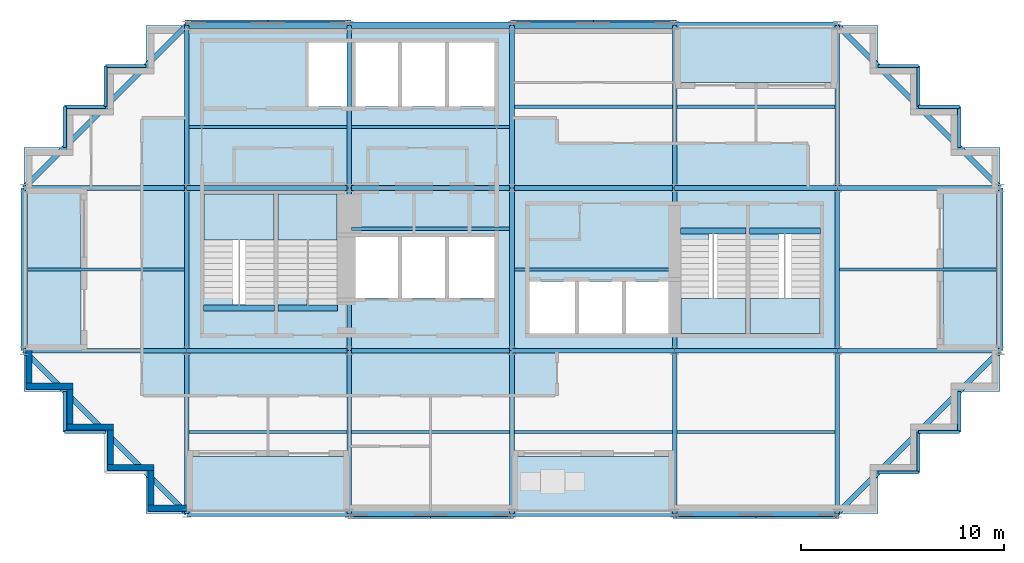
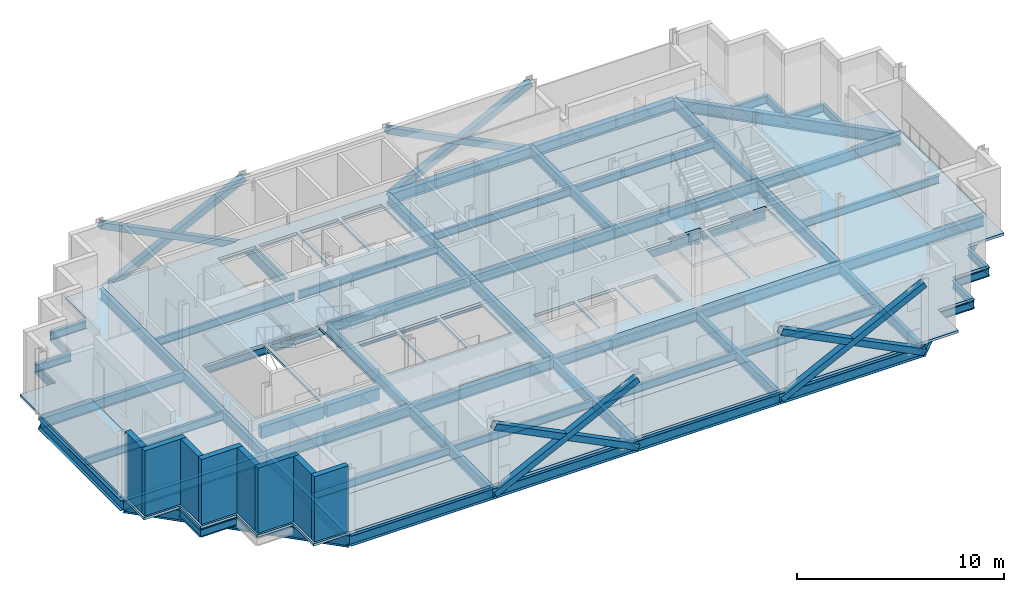
# One storey, part 3 of 10: 71 beams, 12 slabs, 8 members, 8 walls, 4 elements without a shape of their own.
"""IFC4 building model written with IfcOpenShell, lengths in metres."""

from ifc_helpers import new_model, si_unit, direction, frame, frame_2d, origin, origin_2d, place, context, subcontext, project, spatial, polyline, rectangle, hollow_rectangle, i_section, outline, extrude, material, layer, layer_set, material_profile, profile_set, type_object, element, aggregate, save


model = new_model("IFC4")

# Units and contexts
model_context = context("Model", 3, precision=1e-05, world=origin(), true_north=direction((0.0, 1.0)))
body_context = subcontext(model_context, "Body", "Model", "MODEL_VIEW")
ifc_project = project(units=[si_unit("LENGTHUNIT", "METRE"), si_unit("AREAUNIT", "SQUARE_METRE"), si_unit("VOLUMEUNIT", "CUBIC_METRE"), si_unit("PLANEANGLEUNIT", "RADIAN"), si_unit("MASSUNIT", "GRAM", prefix="KILO")], contexts=[model_context])

# Site, building, storey
site_placement = place(None, origin())
site = spatial("IfcSite", under=ifc_project, at=site_placement, CompositionType="ELEMENT")
building_placement = place(site_placement, origin())
building = spatial("IfcBuilding", under=site, at=building_placement, Name="Immortelle Media Tower", CompositionType="ELEMENT")
storey_placement = place(building_placement, frame((0.0, 0.0, 213.0)))
storey = spatial("IfcBuildingStorey", under=building, at=storey_placement, Name="L45", CompositionType="ELEMENT", Elevation=213.0)

# Members
ifc_material_1 = material(Name="Steel ASTM A500 Gr C", Category="steel")
ifc_material_profile_1 = material_profile(ifc_material_1, hollow_rectangle(XDim=0.35595703125, YDim=0.35595703125, WallThickness=0.011962890625, at=origin_2d()), Name="HSS14x14x1/2 brace")
ifc_profile_set_1 = profile_set([ifc_material_profile_1], Name="Steel ASTM A500 Gr C")
member_type = type_object("IfcMemberType", Name="HSS14x14x1/2 brace", PredefinedType="BRACE", material=ifc_profile_set_1)
for number, where, z_axis, x_axis, name in (
    (1, (16.0, -0.087890625, -0.4560546875), (0.894427191, 0.0, 0.4472135955), (0.0, 1.0, 0.0), "Brace A/3-4 A"),
    (2, (16.0, -0.087890625, 3.5439453125), (0.894427191, 0.0, -0.4472135955), (0.0, 1.0, 0.0), "Brace A/3-4 B"),
    (3, (32.0, -0.087890625, -0.4560546875), (0.894427191, 0.0, 0.4472135955), (0.0, 1.0, 0.0), "Brace A/5-6 A"),
    (4, (32.0, -0.087890625, 3.5439453125), (0.894427191, 0.0, -0.4472135955), (0.0, 1.0, 0.0), "Brace A/5-6 B"),
    (5, (32.0, 24.087890625, -0.4560546875), (-0.894427191, 0.0, 0.4472135955), (0.0, -1.0, 0.0), "Brace D/4-5 A"),
    (6, (32.0, 24.087890625, 3.5439453125), (-0.894427191, 0.0, -0.4472135955), (0.0, -1.0, 0.0), "Brace D/4-5 B"),
    (7, (16.0, 24.087890625, -0.4560546875), (-0.894427191, 0.0, 0.4472135955), (0.0, -1.0, 0.0), "Brace D/2-3 A"),
    (8, (16.0, 24.087890625, 3.5439453125), (-0.894427191, 0.0, -0.4472135955), (0.0, -1.0, 0.0), "Brace D/2-3 B"),
):
    element("IfcMember", number, at=place(storey_placement, frame(where, z_axis=z_axis, x_axis=x_axis)), inside=storey, type_object=member_type, Name=name, PredefinedType="BRACE", context=body_context, shape_type="SweptSolid", body=[
        extrude(hollow_rectangle(XDim=0.35595703125, YDim=0.35595703125, WallThickness=0.011962890625, at=origin_2d()), origin(), (0.0, 0.0, 1.0), 8.9443359375),
    ])

# Beams
ifc_material_2 = material(Name="Concrete C50/60", Category="concrete")
ifc_material_profile_2 = material_profile(ifc_material_2, rectangle(XDim=0.300048828125, YDim=0.699951171875, at=origin_2d()), Name="RC 300x700")
ifc_profile_set_2 = profile_set([ifc_material_profile_2], Name="Concrete C50/60")
beam_type_1 = type_object("IfcBeamType", Name="Stair trimmer beam 300 x 700", PredefinedType="BEAM", material=ifc_profile_set_2)
beam_1_placement = place(storey_placement, frame((8.830078125, 10.10498046875, -0.5), z_axis=(1.0, 0.0, 0.0), x_axis=(0.0, 1.0, 0.0)))
element("IfcBeam", 9, at=beam_1_placement, inside=storey, type_object=beam_type_1, Name="Stair trimmer beam SW1", PredefinedType="BEAM", context=body_context, shape_type="SweptSolid", body=[
    extrude(rectangle(XDim=0.300048828125, YDim=0.699951171875, at=origin_2d()), origin(), (0.0, 0.0, 1.0), 3.489990234375),
])
beam_2_placement = place(storey_placement, frame((12.47998046875, 10.10498046875, -0.5), z_axis=(1.0, 0.0, 0.0), x_axis=(0.0, 1.0, 0.0)))
element("IfcBeam", 10, at=beam_2_placement, inside=storey, type_object=beam_type_1, Name="Stair trimmer beam SW2", PredefinedType="BEAM", context=body_context, shape_type="SweptSolid", body=[
    extrude(rectangle(XDim=0.300048828125, YDim=0.699951171875, at=origin_2d()), origin(), (0.0, 0.0, 1.0), 2.93994140625),
])
beam_3_placement = place(storey_placement, frame((32.280029296875, 13.89501953125, -0.5), z_axis=(1.0, 0.0, 0.0), x_axis=(0.0, 1.0, 0.0)))
element("IfcBeam", 11, at=beam_3_placement, inside=storey, type_object=beam_type_1, Name="Stair trimmer beam SE1", PredefinedType="BEAM", context=body_context, shape_type="SweptSolid", body=[
    extrude(rectangle(XDim=0.300048828125, YDim=0.699951171875, at=origin_2d()), origin(), (0.0, 0.0, 1.0), 3.239990234375),
])
beam_4_placement = place(storey_placement, frame((35.679931640625, 13.89501953125, -0.5), z_axis=(1.0, 0.0, 0.0), x_axis=(0.0, 1.0, 0.0)))
element("IfcBeam", 12, at=beam_4_placement, inside=storey, type_object=beam_type_1, Name="Stair trimmer beam SE2", PredefinedType="BEAM", context=body_context, shape_type="SweptSolid", body=[
    extrude(rectangle(XDim=0.300048828125, YDim=0.699951171875, at=origin_2d()), origin(), (0.0, 0.0, 1.0), 3.489990234375),
])
ifc_material_3 = material(Name="Steel ASTM A992 Gr 50", Category="steel")
ifc_material_profile_3 = material_profile(ifc_material_3, i_section(OverallWidth=0.153076171875, OverallDepth=0.455078125, WebThickness=0.008056640625, FlangeThickness=0.012939453125, at=origin_2d()), Name="W18x40")
ifc_profile_set_3 = profile_set([ifc_material_profile_3], Name="Steel ASTM A992 Gr 50")
beam_type_2 = type_object("IfcBeamType", Name="W18x40 secondary beam", PredefinedType="JOIST", material=ifc_profile_set_3)
for number, where, z_axis, x_axis, name in (
    (13, (8.114013671875, 4.0, -0.37744140625), (1.0, 0.0, 0.0), (0.0, 1.0, 0.0), "Beam A-B/2-3"),
    (14, (16.114013671875, 4.0, -0.37744140625), (1.0, 0.0, 0.0), (0.0, 1.0, 0.0), "Beam A-B/3-4"),
    (15, (24.114013671875, 4.0, -0.37744140625), (1.0, 0.0, 0.0), (0.0, 1.0, 0.0), "Beam A-B/4-5"),
    (16, (32.114013671875, 4.0, -0.37744140625), (1.0, 0.0, 0.0), (0.0, 1.0, 0.0), "Beam A-B/5-6"),
):
    element("IfcBeam", number, at=place(storey_placement, frame(where, z_axis=z_axis, x_axis=x_axis)), inside=storey, type_object=beam_type_2, Name=name, PredefinedType="JOIST", context=body_context, shape_type="SweptSolid", body=[
        extrude(i_section(OverallWidth=0.153076171875, OverallDepth=0.455078125, WebThickness=0.008056640625, FlangeThickness=0.012939453125, at=origin_2d()), origin(), (0.0, 0.0, 1.0), 7.77197265625),
    ])
beam_5_placement = place(storey_placement, frame((0.162109375, 12.0, -0.37744140625), z_axis=(1.0, 0.0, 0.0), x_axis=(0.0, 1.0, 0.0)))
element("IfcBeam", 17, at=beam_5_placement, inside=storey, type_object=beam_type_2, Name="Beam B-C/1-2", PredefinedType="JOIST", context=body_context, shape_type="SweptSolid", body=[
    extrude(i_section(OverallWidth=0.153076171875, OverallDepth=0.455078125, WebThickness=0.008056640625, FlangeThickness=0.012939453125, at=origin_2d()), origin(), (0.0, 0.0, 1.0), 7.723876953125),
])
for number, where, z_axis, x_axis, name in (
    (18, (16.114013671875, 14.0, -0.37744140625), (1.0, 0.0, 0.0), (0.0, 1.0, 0.0), "Beam B-C/3-4"),
    (19, (24.114013671875, 12.0, -0.37744140625), (1.0, 0.0, 0.0), (0.0, 1.0, 0.0), "Beam B-C/4-5"),
):
    element("IfcBeam", number, at=place(storey_placement, frame(where, z_axis=z_axis, x_axis=x_axis)), inside=storey, type_object=beam_type_2, Name=name, PredefinedType="JOIST", context=body_context, shape_type="SweptSolid", body=[
        extrude(i_section(OverallWidth=0.153076171875, OverallDepth=0.455078125, WebThickness=0.008056640625, FlangeThickness=0.012939453125, at=origin_2d()), origin(), (0.0, 0.0, 1.0), 7.77197265625),
    ])
beam_6_placement = place(storey_placement, frame((40.114013671875, 12.0, -0.37744140625), z_axis=(1.0, 0.0, 0.0), x_axis=(0.0, 1.0, 0.0)))
element("IfcBeam", 20, at=beam_6_placement, inside=storey, type_object=beam_type_2, Name="Beam B-C/6-7", PredefinedType="JOIST", context=body_context, shape_type="SweptSolid", body=[
    extrude(i_section(OverallWidth=0.153076171875, OverallDepth=0.455078125, WebThickness=0.008056640625, FlangeThickness=0.012939453125, at=origin_2d()), origin(), (0.0, 0.0, 1.0), 7.723876953125),
])
for number, where, z_axis, x_axis, name in (
    (21, (8.114013671875, 19.0, -0.37744140625), (1.0, 0.0, 0.0), (0.0, 1.0, 0.0), "Beam C-D/2-3"),
    (22, (16.114013671875, 19.0, -0.37744140625), (1.0, 0.0, 0.0), (0.0, 1.0, 0.0), "Beam C-D/3-4"),
    (23, (24.114013671875, 20.0, -0.37744140625), (1.0, 0.0, 0.0), (0.0, 1.0, 0.0), "Beam C-D/4-5"),
    (24, (32.114013671875, 20.0, -0.37744140625), (1.0, 0.0, 0.0), (0.0, 1.0, 0.0), "Beam C-D/5-6"),
):
    element("IfcBeam", number, at=place(storey_placement, frame(where, z_axis=z_axis, x_axis=x_axis)), inside=storey, type_object=beam_type_2, Name=name, PredefinedType="JOIST", context=body_context, shape_type="SweptSolid", body=[
        extrude(i_section(OverallWidth=0.153076171875, OverallDepth=0.455078125, WebThickness=0.008056640625, FlangeThickness=0.012939453125, at=origin_2d()), origin(), (0.0, 0.0, 1.0), 7.77197265625),
    ])
ifc_material_profile_4 = material_profile(ifc_material_3, i_section(OverallWidth=0.153076171875, OverallDepth=0.455078125, WebThickness=0.008056640625, FlangeThickness=0.012939453125, at=origin_2d()), Name="W18x40")
ifc_profile_set_4 = profile_set([ifc_material_profile_4], Name="Steel ASTM A992 Gr 50")
beam_type_3 = type_object("IfcBeamType", Name="W18x40 serration edge beam", PredefinedType="SPANDREL", material=ifc_profile_set_4)
for number, where, z_axis, x_axis, name in (
    (25, (4.0, 4.0, -0.37744140625), (-1.0, 0.0, 0.0), (0.0, -1.0, 0.0), "Corner edge beam 3 at 1/A"),
    (26, (2.0, 4.0, -0.37744140625), (0.0, 1.0, 0.0), (-1.0, 0.0, 0.0), "Corner edge beam 4 at 1/A"),
    (27, (2.0, 18.0, -0.37744140625), (0.0, 1.0, 0.0), (-1.0, 0.0, 0.0), "Corner edge beam 1 at 1/D"),
    (28, (2.0, 20.0, -0.37744140625), (1.0, 0.0, 0.0), (0.0, 1.0, 0.0), "Corner edge beam 2 at 1/D"),
    (29, (4.0, 20.0, -0.37744140625), (0.0, 1.0, 0.0), (-1.0, 0.0, 0.0), "Corner edge beam 3 at 1/D"),
    (30, (4.0, 22.0, -0.37744140625), (1.0, 0.0, 0.0), (0.0, 1.0, 0.0), "Corner edge beam 4 at 1/D"),
    (31, (46.0, 6.0, -0.37744140625), (0.0, -1.0, 0.0), (1.0, 0.0, 0.0), "Corner edge beam 1 at 7/A"),
    (32, (46.0, 4.0, -0.37744140625), (-1.0, 0.0, 0.0), (0.0, -1.0, 0.0), "Corner edge beam 2 at 7/A"),
    (33, (44.0, 4.0, -0.37744140625), (0.0, -1.0, 0.0), (1.0, 0.0, 0.0), "Corner edge beam 3 at 7/A"),
    (34, (44.0, 2.0, -0.37744140625), (-1.0, 0.0, 0.0), (0.0, -1.0, 0.0), "Corner edge beam 4 at 7/A"),
    (35, (42.0, 22.0, -0.37744140625), (1.0, 0.0, 0.0), (0.0, 1.0, 0.0), "Corner edge beam 1 at 7/D"),
    (36, (44.0, 22.0, -0.37744140625), (0.0, -1.0, 0.0), (1.0, 0.0, 0.0), "Corner edge beam 2 at 7/D"),
    (37, (44.0, 20.0, -0.37744140625), (1.0, 0.0, 0.0), (0.0, 1.0, 0.0), "Corner edge beam 3 at 7/D"),
    (38, (46.0, 20.0, -0.37744140625), (0.0, -1.0, 0.0), (1.0, 0.0, 0.0), "Corner edge beam 4 at 7/D"),
):
    element("IfcBeam", number, at=place(storey_placement, frame(where, z_axis=z_axis, x_axis=x_axis)), inside=storey, type_object=beam_type_3, Name=name, PredefinedType="SPANDREL", context=body_context, shape_type="SweptSolid", body=[
        extrude(i_section(OverallWidth=0.153076171875, OverallDepth=0.455078125, WebThickness=0.008056640625, FlangeThickness=0.012939453125, at=origin_2d()), origin(), (0.0, 0.0, 1.0), 2.0),
    ])
ifc_material_profile_5 = material_profile(ifc_material_3, i_section(OverallWidth=0.323974609375, OverallDepth=0.612060546875, WebThickness=0.012939453125, FlangeThickness=0.01904296875, at=origin_2d()), Name="W24x104")
ifc_profile_set_5 = profile_set([ifc_material_profile_5], Name="Steel ASTM A992 Gr 50")
beam_type_4 = type_object("IfcBeamType", Name="W24x104 perimeter girder", PredefinedType="SPANDREL", material=ifc_profile_set_5)
for number, where, z_axis, x_axis, name in (
    (39, (0.0, 8.0, -0.4560546875), (0.0, 1.0, 0.0), (-1.0, 0.0, 0.0), "Girder 1/B-C"),
    (40, (8.0, 0.0, -0.4560546875), (1.0, 0.0, 0.0), (0.0, 1.0, 0.0), "Girder A/2-3"),
    (41, (8.0, 24.0, -0.4560546875), (1.0, 0.0, 0.0), (0.0, 1.0, 0.0), "Girder D/2-3"),
    (42, (16.0, 0.0, -0.4560546875), (1.0, 0.0, 0.0), (0.0, 1.0, 0.0), "Girder A/3-4"),
    (43, (16.0, 24.0, -0.4560546875), (1.0, 0.0, 0.0), (0.0, 1.0, 0.0), "Girder D/3-4"),
    (44, (24.0, 0.0, -0.4560546875), (1.0, 0.0, 0.0), (0.0, 1.0, 0.0), "Girder A/4-5"),
    (45, (24.0, 24.0, -0.4560546875), (1.0, 0.0, 0.0), (0.0, 1.0, 0.0), "Girder D/4-5"),
    (46, (32.0, 0.0, -0.4560546875), (1.0, 0.0, 0.0), (0.0, 1.0, 0.0), "Girder A/5-6"),
    (47, (32.0, 24.0, -0.4560546875), (1.0, 0.0, 0.0), (0.0, 1.0, 0.0), "Girder D/5-6"),
    (48, (48.0, 8.0, -0.4560546875), (0.0, 1.0, 0.0), (-1.0, 0.0, 0.0), "Girder 7/B-C"),
):
    element("IfcBeam", number, at=place(storey_placement, frame(where, z_axis=z_axis, x_axis=x_axis)), inside=storey, type_object=beam_type_4, Name=name, PredefinedType="SPANDREL", context=body_context, shape_type="SweptSolid", body=[
        extrude(i_section(OverallWidth=0.323974609375, OverallDepth=0.612060546875, WebThickness=0.012939453125, FlangeThickness=0.01904296875, at=origin_2d()), origin(), (0.0, 0.0, 1.0), 8.0),
    ])
ifc_material_profile_6 = material_profile(ifc_material_3, i_section(OverallWidth=0.22802734375, OverallDepth=0.60205078125, WebThickness=0.010986328125, FlangeThickness=0.014892578125, at=origin_2d()), Name="W24x68")
ifc_profile_set_6 = profile_set([ifc_material_profile_6], Name="Steel ASTM A992 Gr 50")
beam_type_5 = type_object("IfcBeamType", Name="W24x68 girder", PredefinedType="BEAM", material=ifc_profile_set_6)
for number, where, z_axis, x_axis, name in (
    (49, (0.0, 8.0, -0.450927734375), (1.0, 0.0, 0.0), (0.0, 1.0, 0.0), "Girder B/1-2"),
    (50, (0.0, 16.0, -0.450927734375), (1.0, 0.0, 0.0), (0.0, 1.0, 0.0), "Girder C/1-2"),
    (51, (8.0, 0.0, -0.450927734375), (0.0, 1.0, 0.0), (-1.0, 0.0, 0.0), "Girder 2/A-B"),
    (52, (8.0, 8.0, -0.450927734375), (1.0, 0.0, 0.0), (0.0, 1.0, 0.0), "Girder B/2-3"),
    (53, (8.0, 8.0, -0.450927734375), (0.0, 1.0, 0.0), (-1.0, 0.0, 0.0), "Girder 2/B-C"),
    (54, (8.0, 16.0, -0.450927734375), (1.0, 0.0, 0.0), (0.0, 1.0, 0.0), "Girder C/2-3"),
    (55, (8.0, 16.0, -0.450927734375), (0.0, 1.0, 0.0), (-1.0, 0.0, 0.0), "Girder 2/C-D"),
    (56, (16.0, 0.0, -0.450927734375), (0.0, 1.0, 0.0), (-1.0, 0.0, 0.0), "Girder 3/A-B"),
    (57, (16.0, 8.0, -0.450927734375), (1.0, 0.0, 0.0), (0.0, 1.0, 0.0), "Girder B/3-4"),
    (58, (16.0, 8.0, -0.450927734375), (0.0, 1.0, 0.0), (-1.0, 0.0, 0.0), "Girder 3/B-C"),
    (59, (16.0, 16.0, -0.450927734375), (1.0, 0.0, 0.0), (0.0, 1.0, 0.0), "Girder C/3-4"),
    (60, (16.0, 16.0, -0.450927734375), (0.0, 1.0, 0.0), (-1.0, 0.0, 0.0), "Girder 3/C-D"),
    (61, (24.0, 0.0, -0.450927734375), (0.0, 1.0, 0.0), (-1.0, 0.0, 0.0), "Girder 4/A-B"),
    (62, (24.0, 8.0, -0.450927734375), (1.0, 0.0, 0.0), (0.0, 1.0, 0.0), "Girder B/4-5"),
    (63, (24.0, 8.0, -0.450927734375), (0.0, 1.0, 0.0), (-1.0, 0.0, 0.0), "Girder 4/B-C"),
    (64, (24.0, 16.0, -0.450927734375), (1.0, 0.0, 0.0), (0.0, 1.0, 0.0), "Girder C/4-5"),
    (65, (24.0, 16.0, -0.450927734375), (0.0, 1.0, 0.0), (-1.0, 0.0, 0.0), "Girder 4/C-D"),
    (66, (32.0, 0.0, -0.450927734375), (0.0, 1.0, 0.0), (-1.0, 0.0, 0.0), "Girder 5/A-B"),
    (67, (32.0, 8.0, -0.450927734375), (1.0, 0.0, 0.0), (0.0, 1.0, 0.0), "Girder B/5-6"),
    (68, (32.0, 8.0, -0.450927734375), (0.0, 1.0, 0.0), (-1.0, 0.0, 0.0), "Girder 5/B-C"),
    (69, (32.0, 16.0, -0.450927734375), (1.0, 0.0, 0.0), (0.0, 1.0, 0.0), "Girder C/5-6"),
    (70, (32.0, 16.0, -0.450927734375), (0.0, 1.0, 0.0), (-1.0, 0.0, 0.0), "Girder 5/C-D"),
    (71, (40.0, 0.0, -0.450927734375), (0.0, 1.0, 0.0), (-1.0, 0.0, 0.0), "Girder 6/A-B"),
    (72, (40.0, 8.0, -0.450927734375), (1.0, 0.0, 0.0), (0.0, 1.0, 0.0), "Girder B/6-7"),
    (73, (40.0, 8.0, -0.450927734375), (0.0, 1.0, 0.0), (-1.0, 0.0, 0.0), "Girder 6/B-C"),
    (74, (40.0, 16.0, -0.450927734375), (1.0, 0.0, 0.0), (0.0, 1.0, 0.0), "Girder C/6-7"),
    (75, (40.0, 16.0, -0.450927734375), (0.0, 1.0, 0.0), (-1.0, 0.0, 0.0), "Girder 6/C-D"),
):
    element("IfcBeam", number, at=place(storey_placement, frame(where, z_axis=z_axis, x_axis=x_axis)), inside=storey, type_object=beam_type_5, Name=name, PredefinedType="BEAM", context=body_context, shape_type="SweptSolid", body=[
        extrude(i_section(OverallWidth=0.22802734375, OverallDepth=0.60205078125, WebThickness=0.010986328125, FlangeThickness=0.014892578125, at=origin_2d()), origin(), (0.0, 0.0, 1.0), 8.0),
    ])
ifc_material_profile_7 = material_profile(ifc_material_3, i_section(OverallWidth=0.257080078125, OverallDepth=0.693115234375, WebThickness=0.013916015625, FlangeThickness=0.02392578125, at=origin_2d()), Name="W27x114")
ifc_profile_set_7 = profile_set([ifc_material_profile_7], Name="Steel ASTM A992 Gr 50")
beam_type_6 = type_object("IfcBeamType", Name="W27x114 corner girder", PredefinedType="SPANDREL", material=ifc_profile_set_7)
for number, where, z_axis, x_axis, name in (
    (76, (8.0, 0.0, -0.49658203125), (-0.707106781187, 0.707106781187, 0.0), (-0.707106781187, -0.707106781187, 0.0), "Corner girder at 1/A"),
    (77, (0.0, 16.0, -0.49658203125), (0.707106781187, 0.707106781187, 0.0), (-0.707106781187, 0.707106781187, 0.0), "Corner girder at 1/D"),
    (78, (48.0, 8.0, -0.49658203125), (-0.707106781187, -0.707106781187, 0.0), (0.707106781187, -0.707106781187, 0.0), "Corner girder at 7/A"),
    (79, (40.0, 24.0, -0.49658203125), (0.707106781187, -0.707106781187, 0.0), (0.707106781187, 0.707106781187, 0.0), "Corner girder at 7/D"),
):
    element("IfcBeam", number, at=place(storey_placement, frame(where, z_axis=z_axis, x_axis=x_axis)), inside=storey, type_object=beam_type_6, Name=name, PredefinedType="SPANDREL", context=body_context, shape_type="SweptSolid", body=[
        extrude(i_section(OverallWidth=0.257080078125, OverallDepth=0.693115234375, WebThickness=0.013916015625, FlangeThickness=0.02392578125, at=origin_2d()), origin(), (0.0, 0.0, 1.0), 11.313720703125),
    ])

# Slabs
ifc_material_4 = material(Name="Concrete C50/60 composite deck", Category="concrete")
ifc_layer_1 = layer(ifc_material_4, 0.14990234375)
ifc_layer_set_1 = layer_set([ifc_layer_1], Name="Concrete C50/60 composite deck")
slab_type_1 = type_object("IfcSlabType", Name="Balcony slab 150", PredefinedType="FLOOR", material=ifc_layer_set_1)
slab_1_placement = place(storey_placement, frame((0.0, 0.0, -0.14990234375)))
element("IfcSlab", 80, at=slab_1_placement, inside=storey, type_object=slab_type_1, Name="Balcony slab L45 S0", PredefinedType="FLOOR", context=body_context, shape_type="SweptSolid", body=[
    extrude(outline(polyline([(16.0, 0.0), (16.0, 2.800048828125), (8.0, 2.800048828125), (8.0, 0.0), (16.0, 0.0)])), origin(), (0.0, 0.0, 1.0), 0.14990234375),
])
slab_2_placement = place(storey_placement, frame((0.0, 0.0, -0.14990234375)))
element("IfcSlab", 81, at=slab_2_placement, inside=storey, type_object=slab_type_1, Name="Balcony slab L45 S2", PredefinedType="FLOOR", context=body_context, shape_type="SweptSolid", body=[
    extrude(outline(polyline([(32.0, 0.0), (32.0, 2.800048828125), (24.0, 2.800048828125), (24.0, 0.0), (32.0, 0.0)])), origin(), (0.0, 0.0, 1.0), 0.14990234375),
])
slab_3_placement = place(storey_placement, frame((0.0, 0.0, -0.14990234375)))
element("IfcSlab", 82, at=slab_3_placement, inside=storey, type_object=slab_type_1, Name="Balcony slab L45 E0", PredefinedType="FLOOR", context=body_context, shape_type="SweptSolid", body=[
    extrude(outline(polyline([(48.0, 8.0), (48.0, 16.0), (45.199951171875, 16.0), (45.199951171875, 8.0), (48.0, 8.0)])), origin(), (0.0, 0.0, 1.0), 0.14990234375),
])
slab_4_placement = place(storey_placement, frame((0.0, 0.0, -0.14990234375)))
element("IfcSlab", 83, at=slab_4_placement, inside=storey, type_object=slab_type_1, Name="Balcony slab L45 N0", PredefinedType="FLOOR", context=body_context, shape_type="SweptSolid", body=[
    extrude(outline(polyline([(40.0, 21.199951171875), (40.0, 24.0), (32.0, 24.0), (32.0, 21.199951171875), (40.0, 21.199951171875)])), origin(), (0.0, 0.0, 1.0), 0.14990234375),
])
slab_5_placement = place(storey_placement, frame((0.0, 0.0, -0.14990234375)))
element("IfcSlab", 84, at=slab_5_placement, inside=storey, type_object=slab_type_1, Name="Balcony slab L45 W0", PredefinedType="FLOOR", context=body_context, shape_type="SweptSolid", body=[
    extrude(outline(polyline([(2.800048828125, 8.0), (2.800048828125, 16.0), (0.0, 16.0), (0.0, 8.0), (2.800048828125, 8.0)])), origin(), (0.0, 0.0, 1.0), 0.14990234375),
])
ifc_layer_2 = layer(ifc_material_2, 0.14990234375)
ifc_layer_set_2 = layer_set([ifc_layer_2], Name="Concrete C50/60")
slab_type_2 = type_object("IfcSlabType", Name="Composite floor slab 150", PredefinedType="FLOOR", material=ifc_layer_set_2)
slab_6_placement = place(storey_placement, frame((0.0, 0.0, -0.14990234375)))
element("IfcSlab", 85, at=slab_6_placement, inside=storey, type_object=slab_type_2, Name="Floor slab L45", PredefinedType="FLOOR", context=body_context, shape_type="SweptSolid", body=[
    extrude(outline(polyline([(6.0, 0.0), (6.0, 2.0), (4.0, 2.0), (4.0, 4.0), (2.0, 4.0), (2.0, 6.0), (0.0, 6.0), (0.0, 8.0), (2.800048828125, 8.0), (2.800048828125, 16.0), (0.0, 16.0), (0.0, 18.0), (2.0, 18.0), (2.0, 20.0), (4.0, 20.0), (4.0, 22.0), (6.0, 22.0), (6.0, 24.0), (8.0, 24.0), (8.0, 8.0), (24.0, 8.0), (40.0, 8.0), (40.0, 16.0), (24.0, 16.0), (24.0, 21.199951171875), (24.0, 24.0), (32.0, 24.0), (32.0, 21.199951171875), (40.0, 21.199951171875), (40.0, 24.0), (42.0, 24.0), (42.0, 22.0), (44.0, 22.0), (44.0, 20.0), (46.0, 20.0), (46.0, 18.0), (48.0, 18.0), (48.0, 16.0), (45.199951171875, 16.0), (45.199951171875, 8.0), (48.0, 8.0), (48.0, 6.0), (46.0, 6.0), (46.0, 4.0), (44.0, 4.0), (44.0, 2.0), (42.0, 2.0), (42.0, 0.0), (32.0, 0.0), (32.0, 2.800048828125), (24.0, 2.800048828125), (24.0, 0.0), (16.0, 0.0), (16.0, 2.800048828125), (8.0, 2.800048828125), (8.0, 0.0), (6.0, 0.0)])), origin(), (0.0, 0.0, 1.0), 0.14990234375),
])
ifc_layer_3 = layer(ifc_material_2, 0.14990234375)
ifc_layer_set_3 = layer_set([ifc_layer_3], Name="Concrete C50/60")
slab_type_3 = type_object("IfcSlabType", Name="Core floor slab 150", PredefinedType="FLOOR", material=ifc_layer_set_3)
slab_7_placement = place(storey_placement, frame((0.0, 0.0, -0.14990234375)))
element("IfcSlab", 86, at=slab_7_placement, inside=storey, type_object=slab_type_3, Name="Core floor SW", PredefinedType="FLOOR", context=body_context, shape_type="SweptSolid", body=[
    extrude(outline(polyline([(8.0, 8.0), (24.0, 8.0), (24.0, 24.0), (8.0, 24.0), (8.0, 8.0)]), holes=[polyline([(14.0, 20.0), (16.10009765625, 20.0), (16.10009765625, 23.14990234375), (14.0, 23.14990234375), (14.0, 20.0)]), polyline([(16.300048828125, 20.0), (18.39990234375, 20.0), (18.39990234375, 23.14990234375), (16.300048828125, 23.14990234375), (16.300048828125, 20.0)]), polyline([(18.60009765625, 20.0), (20.699951171875, 20.0), (20.699951171875, 23.14990234375), (18.60009765625, 23.14990234375), (18.60009765625, 20.0)]), polyline([(20.89990234375, 20.0), (23.14990234375, 20.0), (23.14990234375, 23.14990234375), (20.89990234375, 23.14990234375), (20.89990234375, 20.0)]), polyline([(16.300048828125, 10.60009765625), (18.39990234375, 10.60009765625), (18.39990234375, 13.60009765625), (16.300048828125, 13.60009765625), (16.300048828125, 10.60009765625)]), polyline([(18.60009765625, 10.60009765625), (20.699951171875, 10.60009765625), (20.699951171875, 13.60009765625), (18.60009765625, 13.60009765625), (18.60009765625, 10.60009765625)]), polyline([(20.89990234375, 10.60009765625), (23.14990234375, 10.60009765625), (23.14990234375, 13.60009765625), (20.89990234375, 13.60009765625), (20.89990234375, 10.60009765625)]), polyline([(8.85009765625, 15.699951171875), (12.300048828125, 15.699951171875), (12.300048828125, 10.27001953125), (10.25, 10.27001953125), (10.25, 10.56005859375), (8.85009765625, 10.56005859375), (8.85009765625, 15.699951171875)]), polyline([(12.5, 15.699951171875), (15.39990234375, 15.699951171875), (15.39990234375, 10.27001953125), (13.89990234375, 10.27001953125), (13.89990234375, 10.56005859375), (12.5, 10.56005859375), (12.5, 15.699951171875)])]), origin(), (0.0, 0.0, 1.0), 0.14990234375),
])
slab_8_placement = place(storey_placement, frame((0.0, 0.0, -0.14990234375)))
element("IfcSlab", 87, at=slab_8_placement, inside=storey, type_object=slab_type_3, Name="Core floor SE", PredefinedType="FLOOR", context=body_context, shape_type="SweptSolid", body=[
    extrude(outline(polyline([(24.0, 8.0), (40.0, 8.0), (40.0, 16.0), (24.0, 16.0), (24.0, 8.0)]), holes=[polyline([(24.85009765625, 8.85009765625), (27.10009765625, 8.85009765625), (27.10009765625, 11.39990234375), (24.85009765625, 11.39990234375), (24.85009765625, 8.85009765625)]), polyline([(27.300048828125, 8.85009765625), (29.39990234375, 8.85009765625), (29.39990234375, 11.39990234375), (27.300048828125, 11.39990234375), (27.300048828125, 8.85009765625)]), polyline([(29.60009765625, 8.85009765625), (31.699951171875, 8.85009765625), (31.699951171875, 11.39990234375), (29.60009765625, 11.39990234375), (29.60009765625, 8.85009765625)]), polyline([(35.5, 13.72998046875), (35.5, 8.85009765625), (32.300048828125, 8.85009765625), (32.300048828125, 13.43994140625), (33.699951171875, 13.43994140625), (33.699951171875, 13.72998046875), (35.5, 13.72998046875)]), polyline([(39.14990234375, 13.72998046875), (39.14990234375, 8.85009765625), (35.699951171875, 8.85009765625), (35.699951171875, 13.43994140625), (37.10009765625, 13.43994140625), (37.10009765625, 13.72998046875), (39.14990234375, 13.72998046875)])]), origin(), (0.0, 0.0, 1.0), 0.14990234375),
])

# Stair, slab
stair_type = type_object("IfcStairType", Name="Stair with flights", PredefinedType="DOUBLE_RETURN_STAIR", material=ifc_material_3)
stair_1_placement = place(storey_placement, origin())
stair_1 = element("IfcStair", 88, at=stair_1_placement, inside=storey, type_object=stair_type, Name="Exit stair SW1", PredefinedType="DOUBLE_RETURN_STAIR")
ifc_material_5 = material(Name="Steel ASTM A572 Gr 50", Category="steel")
ifc_layer_4 = layer(ifc_material_5, 0.199951171875)
ifc_layer_set_4 = layer_set([ifc_layer_4], Name="Steel ASTM A572 Gr 50")
slab_type_4 = type_object("IfcSlabType", Name="Stair landing 200", PredefinedType="LANDING", material=ifc_layer_set_4)
slab_9_placement = place(storey_placement, frame((0.0, 0.0, 1.713134765625)))
slab_9 = element("IfcSlab", 89, at=slab_9_placement, type_object=slab_type_4, Name="ST SW1 landing 1", PredefinedType="LANDING", context=body_context, shape_type="SweptSolid", body=[
    extrude(outline(polyline([(8.85009765625, 13.43994140625), (12.300048828125, 13.43994140625), (12.300048828125, 15.699951171875), (8.85009765625, 15.699951171875), (8.85009765625, 13.43994140625)])), origin(), (0.0, 0.0, 1.0), 0.199951171875),
])
aggregate(stair_1, [slab_9])

stair_2_placement = place(storey_placement, origin())
stair_2 = element("IfcStair", 90, at=stair_2_placement, inside=storey, type_object=stair_type, Name="Exit stair SW2", PredefinedType="DOUBLE_RETURN_STAIR")
slab_10_placement = place(storey_placement, frame((0.0, 0.0, 1.713134765625)))
slab_10 = element("IfcSlab", 91, at=slab_10_placement, type_object=slab_type_4, Name="ST SW2 landing 1", PredefinedType="LANDING", context=body_context, shape_type="SweptSolid", body=[
    extrude(outline(polyline([(12.5, 13.43994140625), (15.39990234375, 13.43994140625), (15.39990234375, 15.699951171875), (12.5, 15.699951171875), (12.5, 13.43994140625)])), origin(), (0.0, 0.0, 1.0), 0.199951171875),
])
aggregate(stair_2, [slab_10])

stair_3_placement = place(storey_placement, origin())
stair_3 = element("IfcStair", 92, at=stair_3_placement, inside=storey, type_object=stair_type, Name="Exit stair SE1", PredefinedType="DOUBLE_RETURN_STAIR")
slab_11_placement = place(storey_placement, frame((0.0, 0.0, 1.713134765625)))
slab_11 = element("IfcSlab", 93, at=slab_11_placement, type_object=slab_type_4, Name="ST SE1 landing 1", PredefinedType="LANDING", context=body_context, shape_type="SweptSolid", body=[
    extrude(outline(polyline([(32.300048828125, 8.85009765625), (35.5, 8.85009765625), (35.5, 10.56005859375), (32.300048828125, 10.56005859375), (32.300048828125, 8.85009765625)])), origin(), (0.0, 0.0, 1.0), 0.199951171875),
])
aggregate(stair_3, [slab_11])

stair_4_placement = place(storey_placement, origin())
stair_4 = element("IfcStair", 94, at=stair_4_placement, inside=storey, type_object=stair_type, Name="Exit stair SE2", PredefinedType="DOUBLE_RETURN_STAIR")
slab_12_placement = place(storey_placement, frame((0.0, 0.0, 1.713134765625)))
slab_12 = element("IfcSlab", 95, at=slab_12_placement, type_object=slab_type_4, Name="ST SE2 landing 1", PredefinedType="LANDING", context=body_context, shape_type="SweptSolid", body=[
    extrude(outline(polyline([(35.699951171875, 8.85009765625), (39.14990234375, 8.85009765625), (39.14990234375, 10.56005859375), (35.699951171875, 10.56005859375), (35.699951171875, 8.85009765625)])), origin(), (0.0, 0.0, 1.0), 0.199951171875),
])
aggregate(stair_4, [slab_12])

# Walls
ifc_material_6 = material(Name="Pale aluminium cladding panel", Category="aluminium")
ifc_layer_5 = layer(ifc_material_6, 0.030029296875)
ifc_material_7 = material(Name="Steel ASTM A653 SS Gr 50 stud frame with mineral wool", Category="steel")
ifc_layer_6 = layer(ifc_material_7, 0.257568359375)
ifc_material_8 = material(Name="Moisture-resistant gypsum board", Category="gypsum")
ifc_layer_7 = layer(ifc_material_8, 0.012451171875)
ifc_layer_set_5 = layer_set([ifc_layer_5, ifc_layer_6, ifc_layer_7], Name="Steel ASTM A653 SS Gr 50 stud frame with mineral wool")
wall_type = type_object("IfcWallType", Name="Facade wall 300", PredefinedType="SOLIDWALL", material=ifc_layer_set_5)
wall_1_placement = place(storey_placement, frame((0.10009765625, 6.25, 0.0), z_axis=(0.0, 0.0, 1.0), x_axis=(1.0, 0.0, 0.0)))
element("IfcWall", 96, at=wall_1_placement, inside=storey, type_object=wall_type, Name="Facade wall L45 S0", PredefinedType="SOLIDWALL", context=body_context, shape_type="SweptSolid", body=[
    extrude(rectangle(XDim=2.2998046875, YDim=0.300048828125, at=frame_2d((1.14990234375, 0.0))), origin(), (0.0, 0.0, 1.0), 3.85009765625),
])
wall_2_placement = place(storey_placement, frame((2.25, 6.10009765625, 0.0), z_axis=(0.0, 0.0, 1.0), x_axis=(0.0, -1.0, 0.0)))
element("IfcWall", 97, at=wall_2_placement, inside=storey, type_object=wall_type, Name="Facade wall L45 W1", PredefinedType="SOLIDWALL", context=body_context, shape_type="SweptSolid", body=[
    extrude(rectangle(XDim=1.7001953125, YDim=0.300048828125, at=frame_2d((0.85009765625, 0.0))), origin(), (0.0, 0.0, 1.0), 3.85009765625),
])
wall_3_placement = place(storey_placement, frame((2.10009765625, 4.25, 0.0), z_axis=(0.0, 0.0, 1.0), x_axis=(1.0, 0.0, 0.0)))
element("IfcWall", 98, at=wall_3_placement, inside=storey, type_object=wall_type, Name="Facade wall L45 S2", PredefinedType="SOLIDWALL", context=body_context, shape_type="SweptSolid", body=[
    extrude(rectangle(XDim=2.2998046875, YDim=0.300048828125, at=frame_2d((1.14990234375, 0.0))), origin(), (0.0, 0.0, 1.0), 3.85009765625),
])
wall_4_placement = place(storey_placement, frame((4.25, 4.10009765625, 0.0), z_axis=(0.0, 0.0, 1.0), x_axis=(0.0, -1.0, 0.0)))
element("IfcWall", 99, at=wall_4_placement, inside=storey, type_object=wall_type, Name="Facade wall L45 W3", PredefinedType="SOLIDWALL", context=body_context, shape_type="SweptSolid", body=[
    extrude(rectangle(XDim=1.7001953125, YDim=0.300048828125, at=frame_2d((0.85009765625, 0.0))), origin(), (0.0, 0.0, 1.0), 3.85009765625),
])
wall_5_placement = place(storey_placement, frame((4.10009765625, 2.25, 0.0), z_axis=(0.0, 0.0, 1.0), x_axis=(1.0, 0.0, 0.0)))
element("IfcWall", 100, at=wall_5_placement, inside=storey, type_object=wall_type, Name="Facade wall L45 S4", PredefinedType="SOLIDWALL", context=body_context, shape_type="SweptSolid", body=[
    extrude(rectangle(XDim=2.2998046875, YDim=0.300048828125, at=frame_2d((1.14990234375, 0.0))), origin(), (0.0, 0.0, 1.0), 3.85009765625),
])
wall_6_placement = place(storey_placement, frame((6.25, 2.10009765625, 0.0), z_axis=(0.0, 0.0, 1.0), x_axis=(0.0, -1.0, 0.0)))
element("IfcWall", 101, at=wall_6_placement, inside=storey, type_object=wall_type, Name="Facade wall L45 W5", PredefinedType="SOLIDWALL", context=body_context, shape_type="SweptSolid", body=[
    extrude(rectangle(XDim=1.7001953125, YDim=0.300048828125, at=frame_2d((0.85009765625, 0.0))), origin(), (0.0, 0.0, 1.0), 3.85009765625),
])
wall_7_placement = place(storey_placement, frame((6.10009765625, 0.25, 0.0), z_axis=(0.0, 0.0, 1.0), x_axis=(1.0, 0.0, 0.0)))
element("IfcWall", 102, at=wall_7_placement, inside=storey, type_object=wall_type, Name="Facade wall L45 S6", PredefinedType="SOLIDWALL", context=body_context, shape_type="SweptSolid", body=[
    extrude(rectangle(XDim=1.89990234375, YDim=0.300048828125, at=frame_2d((0.949951171875, 0.0))), origin(), (0.0, 0.0, 1.0), 3.85009765625),
])
wall_8_placement = place(storey_placement, frame((0.25, 8.0, 0.0), z_axis=(0.0, 0.0, 1.0), x_axis=(0.0, -1.0, 0.0)))
element("IfcWall", 103, at=wall_8_placement, inside=storey, type_object=wall_type, Name="Facade wall L45 W27", PredefinedType="SOLIDWALL", context=body_context, shape_type="SweptSolid", body=[
    extrude(rectangle(XDim=1.60009765625, YDim=0.300048828125, at=frame_2d((0.800048828125, 0.0))), origin(), (0.0, 0.0, 1.0), 3.85009765625),
])

save(model, "model.ifc")
